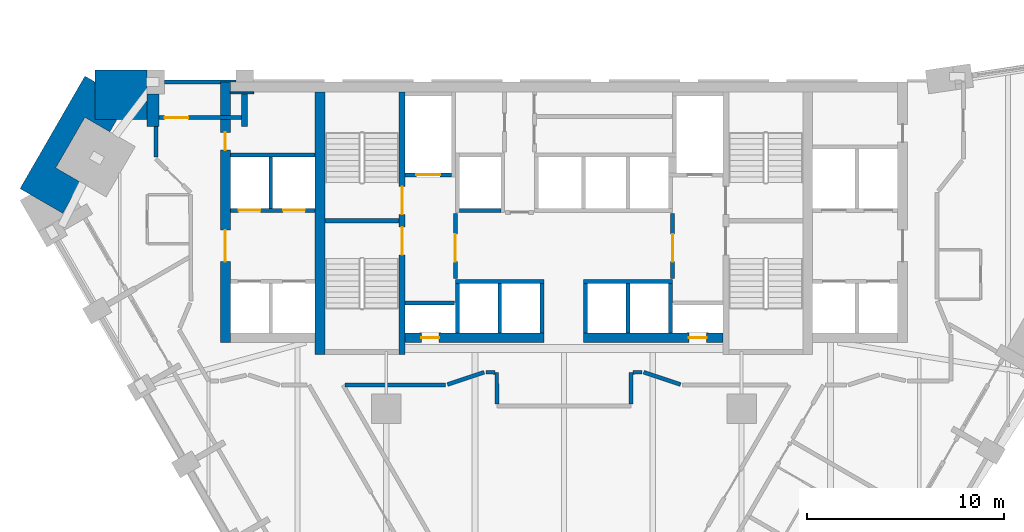
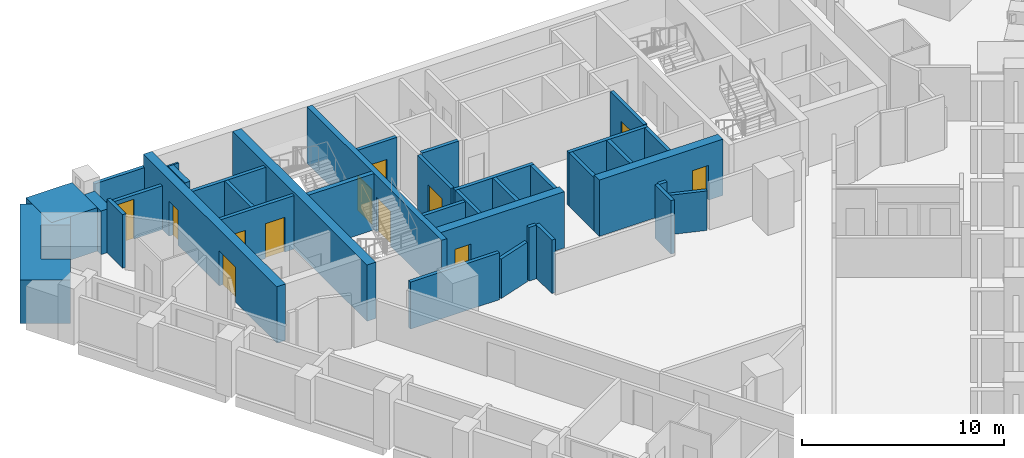
# One storey, part 6 of 10: 37 walls, 12 doors, 12 openings.
"""IFC4 building model written with IfcOpenShell, lengths in metres."""

from ifc_helpers import new_model, si_unit, direction, frame, frame_2d, origin, place, context, subcontext, project, spatial, polyline, rectangle, outline, extrude, material, layer, layer_set, type_object, element, fill, save


model = new_model("IFC4")

# Units and contexts
model_context = context("Model", 3, precision=1e-05, world=origin(), true_north=direction((0.0, 1.0)))
body_context = subcontext(model_context, "Body", "Model", "MODEL_VIEW")
ifc_project = project(units=[si_unit("LENGTHUNIT", "METRE"), si_unit("AREAUNIT", "SQUARE_METRE"), si_unit("VOLUMEUNIT", "CUBIC_METRE"), si_unit("PLANEANGLEUNIT", "RADIAN"), si_unit("MASSUNIT", "GRAM", prefix="KILO")], contexts=[model_context])

# Site, building, storey
site_placement = place(None, origin())
site = spatial("IfcSite", under=ifc_project, at=site_placement, CompositionType="ELEMENT")
building_placement = place(site_placement, origin())
building = spatial("IfcBuilding", under=site, at=building_placement, Name="Calabash Gate Tower", CompositionType="ELEMENT")
storey_placement = place(building_placement, frame((0.0, 0.0, 108.800048828125)))
storey = spatial("IfcBuildingStorey", under=building, at=storey_placement, Name="L24", CompositionType="ELEMENT", Elevation=108.800048828125)

# Walls
ifc_material_1 = material(Name="Terracotta brick masonry, exposed face", Category="masonry")
ifc_layer_1 = layer(ifc_material_1, 2.5)
ifc_layer_set_1 = layer_set([ifc_layer_1], Name="Brick corner mass wall 2500")
wall_type_1 = type_object("IfcWallType", Name="Brick corner mass wall 2500", PredefinedType="SOLIDWALL", material=ifc_layer_set_1)
wall_1_placement = place(storey_placement, origin())
element("IfcWall", 1, at=wall_1_placement, inside=storey, type_object=wall_type_1, Name="Brick corner pier S06 3a", PredefinedType="SOLIDWALL", context=body_context, shape_type="SweptSolid", body=[
    extrude(outline(polyline([(-23.741455078125, 17.152587890625), (-21.119140625, 17.152587890625), (-21.119140625, 19.652587890625), (-23.741455078125, 19.652587890625), (-23.741455078125, 17.152587890625)])), origin(), (0.0, 0.0, 1.0), 2.6298828125),
])
wall_2_placement = place(storey_placement, origin())
element("IfcWall", 2, at=wall_2_placement, inside=storey, type_object=wall_type_1, Name="Brick corner pier S06 3b", PredefinedType="SOLIDWALL", context=body_context, shape_type="SweptSolid", body=[
    extrude(outline(polyline([(-23.003173828125, 16.531005859375), (-22.64453125, 17.152587890625), (-23.741455078125, 17.152587890625), (-23.741455078125, 19.052490234375), (-24.260986328125, 19.3525390625), (-27.55078125, 13.654541015625), (-25.3857421875, 12.404541015625), (-24.478271484375, 13.976318359375), (-25.73876953125, 14.7041015625), (-24.263916015625, 17.2587890625), (-23.003173828125, 16.531005859375)])), origin(), (0.0, 0.0, 1.0), 2.6298828125),
])
ifc_material_2 = material(Name="Terracotta brick masonry, exposed face", Category="masonry")
ifc_layer_2 = layer(ifc_material_2, 1.199951171875)
ifc_layer_set_2 = layer_set([ifc_layer_2], Name="Brick end wall 1200")
wall_type_2 = type_object("IfcWallType", Name="Brick end wall 1200", PredefinedType="SOLIDWALL", material=ifc_layer_set_2)
wall_3_placement = place(storey_placement, origin())
element("IfcWall", 3, at=wall_3_placement, inside=storey, type_object=wall_type_2, Name="Brick pier S06 N6.7b", PredefinedType="SOLIDWALL", context=body_context, shape_type="SweptSolid", body=[
    extrude(outline(polyline([(-16.902099609375, 18.45263671875), (-16.902099609375, 18.552490234375), (-15.718994140625, 18.552490234375), (-15.718994140625, 18.45263671875), (-16.902099609375, 18.45263671875)])), origin(), (0.0, 0.0, 1.0), 2.64990234375),
])
ifc_material_3 = material(Name="Terracotta brick masonry, exposed face", Category="masonry")
ifc_layer_3 = layer(ifc_material_3, 0.300048828125)
ifc_layer_set_3 = layer_set([ifc_layer_3], Name="Brick loggia cheek wall 300")
wall_type_3 = type_object("IfcWallType", Name="Brick loggia cheek wall 300", PredefinedType="SOLIDWALL", material=ifc_layer_set_3)
wall_4_placement = place(storey_placement, origin())
element("IfcWall", 4, at=wall_4_placement, inside=storey, type_object=wall_type_3, Name="Loggia cheek S06 N6.7", PredefinedType="SOLIDWALL", context=body_context, shape_type="SweptSolid", body=[
    extrude(outline(polyline([(-16.01904296875, 16.802490234375), (-16.01904296875, 18.45263671875), (-16.319091796875, 18.45263671875), (-16.319091796875, 16.802490234375), (-16.01904296875, 16.802490234375)])), origin(), (0.0, 0.0, 1.0), 2.64990234375),
])
wall_5_placement = place(storey_placement, origin())
element("IfcWall", 5, at=wall_5_placement, inside=storey, type_object=wall_type_3, Name="Loggia cheek S06 N6.8", PredefinedType="SOLIDWALL", context=body_context, shape_type="SweptSolid", body=[
    extrude(outline(polyline([(-21.119140625, 18.45263671875), (-21.119140625, 16.802490234375), (-20.51904296875, 16.802490234375), (-20.51904296875, 18.45263671875), (-21.119140625, 18.45263671875)])), origin(), (0.0, 0.0, 1.0), 2.6298828125),
])
ifc_material_4 = material(Name="Concrete C80/95", Category="concrete")
ifc_layer_4 = layer(ifc_material_4, 0.25)
ifc_layer_set_4 = layer_set([ifc_layer_4], Name="Core wall 250 Concrete C80/95")
wall_type_4 = type_object("IfcWallType", Name="Core wall 250 Concrete C80/95", PredefinedType="SHEAR", material=ifc_layer_set_4)
wall_6_placement = place(storey_placement, frame((-12.10009765625, 12.027587890625, 0.0), z_axis=(0.0, 0.0, 1.0), x_axis=(1.0, 0.0, 0.0)))
element("IfcWall", 6, at=wall_6_placement, inside=storey, type_object=wall_type_4, Name="Core wall Z2-MIDW L24", PredefinedType="SHEAR", context=body_context, shape_type="SweptSolid", body=[
    extrude(rectangle(XDim=3.75, YDim=0.25, at=frame_2d((1.875, 0.0))), origin(), (0.0, 0.0, 1.0), 3.39990234375),
])

# Wall, openings, doors
ifc_material_5 = material(Name="Concrete C80/95", Category="concrete")
ifc_layer_5 = layer(ifc_material_5, 0.300048828125)
ifc_layer_set_5 = layer_set([ifc_layer_5], Name="Core wall 300 Concrete C80/95")
wall_type_5 = type_object("IfcWallType", Name="Core wall 300 Concrete C80/95", PredefinedType="SHEAR", material=ifc_layer_set_5)
wall_7_placement = place(storey_placement, frame((-8.199951171875, 5.252685546875, 0.0), z_axis=(0.0, 0.0, 1.0), x_axis=(0.0, 1.0, 0.0)))
wall_7 = element("IfcWall", 7, at=wall_7_placement, inside=storey, type_object=wall_type_5, Name="Core wall Z2-PARTW L24", PredefinedType="SHEAR", context=body_context, shape_type="SweptSolid", body=[
    extrude(rectangle(XDim=13.2998046875, YDim=0.300048828125, at=frame_2d((6.64990234375, 0.0))), origin(), (0.0, 0.0, 1.0), 3.39990234375),
])
opening_1_placement = place(wall_7_placement, frame((7.10009765625, 0.0, 0.0)))
opening_1 = element("IfcOpeningElement", 8, at=opening_1_placement, cuts=wall_7, Name="Opening H6-013", PredefinedType="OPENING", context=body_context, shape_type="SweptSolid", body=[
    extrude(rectangle(XDim=1.39990234375, YDim=2.10009765625, at=frame_2d((0.699951171875, 1.050048828125))), frame((0.0, 0.159912109375, 0.0), z_axis=(0.0, -1.0, 0.0), x_axis=(1.0, 0.0, 0.0)), (0.0, 0.0, 1.0), 0.320068359375),
])
opening_2_placement = place(wall_7_placement, frame((5.050048828125, 0.0, 0.0)))
opening_2 = element("IfcOpeningElement", 9, at=opening_2_placement, cuts=wall_7, Name="Opening H6-014", PredefinedType="OPENING", context=body_context, shape_type="SweptSolid", body=[
    extrude(rectangle(XDim=1.39990234375, YDim=2.10009765625, at=frame_2d((0.699951171875, 1.050048828125))), frame((0.0, 0.159912109375, 0.0), z_axis=(0.0, -1.0, 0.0), x_axis=(1.0, 0.0, 0.0)), (0.0, 0.0, 1.0), 0.320068359375),
])
ifc_material_6 = material(Name="Steel fire door set with fire-resisting glazing", Category="steel")
door_type_1 = type_object("IfcDoorType", Name="Fire door D05 1400x2100 FD90", OperationType="NOTDEFINED", PredefinedType="DOOR", material=ifc_material_6)
door_1_placement = place(opening_1_placement, origin())
door_1 = element("IfcDoor", 10, at=door_1_placement, inside=storey, type_object=door_type_1, Name="Exit stair door ST1", OperationType="SINGLE_SWING_LEFT", OverallHeight=2.10009765625, OverallWidth=1.39990234375, PredefinedType="DOOR", context=body_context, shape_type="SweptSolid", body=[
    extrude(rectangle(XDim=1.39990234375, YDim=2.10009765625, at=frame_2d((0.699951171875, 1.050048828125))), frame((0.0, 0.02490234375, 0.0), z_axis=(0.0, -1.0, 0.0), x_axis=(1.0, 0.0, 0.0)), (0.0, 0.0, 1.0), 0.050048828125),
])
fill(opening_1, door_1)
door_2_placement = place(opening_2_placement, origin())
door_2 = element("IfcDoor", 11, at=door_2_placement, inside=storey, type_object=door_type_1, Name="Exit stair door ST2", OperationType="SINGLE_SWING_LEFT", OverallHeight=2.10009765625, OverallWidth=1.39990234375, PredefinedType="DOOR", context=body_context, shape_type="SweptSolid", body=[
    extrude(rectangle(XDim=1.39990234375, YDim=2.10009765625, at=frame_2d((0.699951171875, 1.050048828125))), frame((0.0, 0.02490234375, 0.0), z_axis=(0.0, -1.0, 0.0), x_axis=(1.0, 0.0, 0.0)), (0.0, 0.0, 1.0), 0.050048828125),
])
fill(opening_2, door_2)

# Wall
ifc_material_7 = material(Name="Concrete C80/95", Category="concrete")
ifc_layer_6 = layer(ifc_material_7, 0.5)
ifc_layer_set_6 = layer_set([ifc_layer_6], Name="Core wall 500 Concrete C80/95")
wall_type_6 = type_object("IfcWallType", Name="Core wall 500 Concrete C80/95", PredefinedType="SHEAR", material=ifc_layer_set_6)
wall_8_placement = place(storey_placement, frame((-12.35009765625, 5.252685546875, 0.0), z_axis=(0.0, 0.0, 1.0), x_axis=(0.0, 1.0, 0.0)))
element("IfcWall", 12, at=wall_8_placement, inside=storey, type_object=wall_type_6, Name="Core wall Z2-COLW L24", PredefinedType="SHEAR", context=body_context, shape_type="SweptSolid", body=[
    extrude(rectangle(XDim=13.2998046875, YDim=0.5, at=frame_2d((6.64990234375, 0.0))), origin(), (0.0, 0.0, 1.0), 3.39990234375),
])

# Wall, opening, door
wall_9_placement = place(storey_placement, frame((-8.050048828125, 6.1025390625, 0.0), z_axis=(0.0, 0.0, 1.0), x_axis=(1.0, 0.0, 0.0)))
wall_9 = element("IfcWall", 13, at=wall_9_placement, inside=storey, type_object=wall_type_6, Name="Core wall Z2-SA L24", PredefinedType="SHEAR", context=body_context, shape_type="SweptSolid", body=[
    extrude(rectangle(XDim=7.050048828125, YDim=0.5, at=frame_2d((3.52490234375, 0.0))), origin(), (0.0, 0.0, 1.0), 3.39990234375),
])
opening_3_placement = place(wall_9_placement, frame((0.824951171875, 0.0, 0.0)))
opening_3 = element("IfcOpeningElement", 14, at=opening_3_placement, cuts=wall_9, Name="Opening H6-012", PredefinedType="OPENING", context=body_context, shape_type="SweptSolid", body=[
    extrude(rectangle(XDim=0.89990234375, YDim=2.10009765625, at=frame_2d((0.449951171875, 1.050048828125))), frame((0.0, 0.260009765625, 0.0), z_axis=(0.0, -1.0, 0.0), x_axis=(1.0, 0.0, 0.0)), (0.0, 0.0, 1.0), 0.52001953125),
])
ifc_material_8 = material(Name="Steel fire door set with fire-resisting glazing", Category="steel")
door_type_2 = type_object("IfcDoorType", Name="Fire door D07 900x2100 FD90", OperationType="NOTDEFINED", PredefinedType="DOOR", material=ifc_material_8)
door_3_placement = place(opening_3_placement, origin())
door_3 = element("IfcDoor", 15, at=door_3_placement, inside=storey, type_object=door_type_2, Name="Electrical Riser W door", OperationType="SINGLE_SWING_LEFT", OverallHeight=2.10009765625, OverallWidth=0.89990234375, PredefinedType="DOOR", context=body_context, shape_type="SweptSolid", body=[
    extrude(rectangle(XDim=0.89990234375, YDim=2.10009765625, at=frame_2d((0.449951171875, 1.050048828125))), frame((0.0, 0.02490234375, 0.0), z_axis=(0.0, -1.0, 0.0), x_axis=(1.0, 0.0, 0.0)), (0.0, 0.0, 1.0), 0.050048828125),
])
fill(opening_3, door_3)

wall_10_placement = place(storey_placement, frame((1.0, 6.1025390625, 0.0), z_axis=(0.0, 0.0, 1.0), x_axis=(1.0, 0.0, 0.0)))
wall_10 = element("IfcWall", 16, at=wall_10_placement, inside=storey, type_object=wall_type_6, Name="Core wall Z2-SB L24", PredefinedType="SHEAR", context=body_context, shape_type="SweptSolid", body=[
    extrude(rectangle(XDim=7.050048828125, YDim=0.5, at=frame_2d((3.52490234375, 0.0))), origin(), (0.0, 0.0, 1.0), 3.39990234375),
])
opening_4_placement = place(wall_10_placement, frame((5.324951171875, 0.0, 0.0)))
opening_4 = element("IfcOpeningElement", 17, at=opening_4_placement, cuts=wall_10, Name="Opening H6-011", PredefinedType="OPENING", context=body_context, shape_type="SweptSolid", body=[
    extrude(rectangle(XDim=0.89990234375, YDim=2.10009765625, at=frame_2d((0.449951171875, 1.050048828125))), frame((0.0, 0.260009765625, 0.0), z_axis=(0.0, -1.0, 0.0), x_axis=(1.0, 0.0, 0.0)), (0.0, 0.0, 1.0), 0.52001953125),
])
door_4_placement = place(opening_4_placement, origin())
door_4 = element("IfcDoor", 18, at=door_4_placement, inside=storey, type_object=door_type_2, Name="Mechanical Riser E door", OperationType="SINGLE_SWING_RIGHT", OverallHeight=2.10009765625, OverallWidth=0.89990234375, PredefinedType="DOOR", context=body_context, shape_type="SweptSolid", body=[
    extrude(rectangle(XDim=0.89990234375, YDim=2.10009765625, at=frame_2d((0.449951171875, 1.050048828125))), frame((0.0, 0.02490234375, 0.0), z_axis=(0.0, -1.0, 0.0), x_axis=(1.0, 0.0, 0.0)), (0.0, 0.0, 1.0), 0.050048828125),
])
fill(opening_4, door_4)

# Wall, openings, doors
wall_11_placement = place(storey_placement, frame((-17.14990234375, 5.8525390625, 0.0), z_axis=(0.0, 0.0, 1.0), x_axis=(0.0, 1.0, 0.0)))
wall_11 = element("IfcWall", 19, at=wall_11_placement, inside=storey, type_object=wall_type_6, Name="Core wall Z2-ENDW L24", PredefinedType="SHEAR", context=body_context, shape_type="SweptSolid", body=[
    extrude(rectangle(XDim=13.199951171875, YDim=0.5, at=frame_2d((6.60009765625, 0.0))), origin(), (0.0, 0.0, 1.0), 3.39990234375),
])
opening_5_placement = place(wall_11_placement, frame((4.10009765625, 0.0, 0.0)))
opening_5 = element("IfcOpeningElement", 20, at=opening_5_placement, cuts=wall_11, Name="Opening H6-003", PredefinedType="OPENING", context=body_context, shape_type="SweptSolid", body=[
    extrude(rectangle(XDim=1.60009765625, YDim=2.10009765625, at=frame_2d((0.800048828125, 1.050048828125))), frame((0.0, 0.260009765625, 0.0), z_axis=(0.0, -1.0, 0.0), x_axis=(1.0, 0.0, 0.0)), (0.0, 0.0, 1.0), 0.52001953125),
])
opening_6_placement = place(wall_11_placement, frame((9.75, 0.0, 0.0)))
opening_6 = element("IfcOpeningElement", 21, at=opening_6_placement, cuts=wall_11, Name="Opening H6-004", PredefinedType="OPENING", context=body_context, shape_type="SweptSolid", body=[
    extrude(rectangle(XDim=0.89990234375, YDim=2.10009765625, at=frame_2d((0.449951171875, 1.050048828125))), frame((0.0, 0.260009765625, 0.0), z_axis=(0.0, -1.0, 0.0), x_axis=(1.0, 0.0, 0.0)), (0.0, 0.0, 1.0), 0.52001953125),
])
ifc_material_9 = material(Name="Steel fire door set with fire-resisting glazing", Category="steel")
door_type_3 = type_object("IfcDoorType", Name="Double fire door D08 1600x2100 FD60", OperationType="DOUBLE_DOOR_SINGLE_SWING", PredefinedType="DOOR", material=ifc_material_9)
door_5_placement = place(opening_5_placement, origin())
door_5 = element("IfcDoor", 22, at=door_5_placement, inside=storey, type_object=door_type_3, Name="Low-rise Lift Lobby W door", OperationType="DOUBLE_DOOR_SINGLE_SWING", OverallHeight=2.10009765625, OverallWidth=1.60009765625, PredefinedType="DOOR", context=body_context, shape_type="SweptSolid", body=[
    extrude(rectangle(XDim=1.60009765625, YDim=2.10009765625, at=frame_2d((0.800048828125, 1.050048828125))), frame((0.0, 0.02490234375, 0.0), z_axis=(0.0, -1.0, 0.0), x_axis=(1.0, 0.0, 0.0)), (0.0, 0.0, 1.0), 0.050048828125),
])
fill(opening_5, door_5)
ifc_material_10 = material(Name="Steel fire door set with fire-resisting glazing", Category="steel")
door_type_4 = type_object("IfcDoorType", Name="Fire door D06 900x2100 FD60", OperationType="NOTDEFINED", PredefinedType="DOOR", material=ifc_material_10)
door_6_placement = place(opening_6_placement, origin())
door_6 = element("IfcDoor", 23, at=door_6_placement, inside=storey, type_object=door_type_4, Name="Cleaner's Store door", OperationType="SINGLE_SWING_RIGHT", OverallHeight=2.10009765625, OverallWidth=0.89990234375, PredefinedType="DOOR", context=body_context, shape_type="SweptSolid", body=[
    extrude(rectangle(XDim=0.89990234375, YDim=2.10009765625, at=frame_2d((0.449951171875, 1.050048828125))), frame((0.0, 0.02490234375, 0.0), z_axis=(0.0, -1.0, 0.0), x_axis=(1.0, 0.0, 0.0)), (0.0, 0.0, 1.0), 0.050048828125),
])
fill(opening_6, door_6)

# Walls
ifc_material_11 = material(Name="Gypsum board on steel studs, mineral wool", Category="steel")
ifc_layer_7 = layer(ifc_material_11, 0.199951171875)
ifc_layer_set_7 = layer_set([ifc_layer_7], Name="Partition 200 gypsum board EI 60")
wall_type_7 = type_object("IfcWallType", Name="Partition 200 gypsum board EI 60", PredefinedType="PARTITIONING", material=ifc_layer_set_7)
wall_12_placement = place(storey_placement, frame((-3.402099609375, 4.3505859375, 0.0), z_axis=(0.0, 0.0, 1.0), x_axis=(0.001222119466, -0.999999253212, 0.0)))
element("IfcWall", 24, at=wall_12_placement, inside=storey, type_object=wall_type_7, Name="Partition", PredefinedType="PARTITIONING", context=body_context, shape_type="SweptSolid", body=[
    extrude(rectangle(XDim=1.59814453125, YDim=0.199951171875, at=frame_2d((0.799072265625, 0.0))), origin(), (0.0, 0.0, 1.0), 3.22998046875),
])
wall_13_placement = place(storey_placement, frame((-11.080078125, 3.69970703125, 0.0), z_axis=(0.0, 0.0, 1.0), x_axis=(1.0, 0.0, 0.0)))
element("IfcWall", 25, at=wall_13_placement, inside=storey, type_object=wall_type_7, Name="Partition", PredefinedType="PARTITIONING", context=body_context, shape_type="SweptSolid", body=[
    extrude(rectangle(XDim=5.080078125, YDim=0.199951171875, at=frame_2d((2.5400390625, 0.0))), origin(), (0.0, 0.0, 1.0), 2.83154296875),
])
for number, where, z_axis, x_axis, name in (
    (26, (4.042236328125, 4.352294921875, 0.0), (0.0, 0.0, 1.0), (0.948695731075, -0.316190464499, 0.0), "Partition"),
    (27, (-5.905029296875, 3.7314453125, 0.0), (0.0, 0.0, 1.0), (0.948695731075, 0.316190464499, 0.0), "Partition"),
):
    element("IfcWall", number, at=place(storey_placement, frame(where, z_axis=z_axis, x_axis=x_axis)), inside=storey, type_object=wall_type_7, Name=name, PredefinedType="PARTITIONING", context=body_context, shape_type="SweptSolid", body=[
        extrude(rectangle(XDim=1.963623046875, YDim=0.199951171875, at=frame_2d((0.98193359375, 0.0))), origin(), (0.0, 0.0, 1.0), 2.384033203125),
    ])
wall_14_placement = place(storey_placement, frame((-3.9423828125, 4.35205078125, 0.0), z_axis=(0.0, 0.0, 1.0), x_axis=(0.999996159087, -0.00277160798, 0.0)))
element("IfcWall", 28, at=wall_14_placement, inside=storey, type_object=wall_type_7, Name="Partition", PredefinedType="PARTITIONING", context=body_context, shape_type="SweptSolid", body=[
    extrude(rectangle(XDim=0.4404296875, YDim=0.199951171875, at=frame_2d((0.22021484375, 0.0))), origin(), (0.0, 0.0, 1.0), 3.22998046875),
])
wall_15_placement = place(storey_placement, frame((3.400146484375, 2.75244140625, 0.0), z_axis=(0.0, 0.0, 1.0), x_axis=(0.001222119466, 0.999999253212, 0.0)))
element("IfcWall", 29, at=wall_15_placement, inside=storey, type_object=wall_type_7, Name="Partition", PredefinedType="PARTITIONING", context=body_context, shape_type="SweptSolid", body=[
    extrude(rectangle(XDim=1.59814453125, YDim=0.199951171875, at=frame_2d((0.799072265625, 0.0))), origin(), (0.0, 0.0, 1.0), 3.22998046875),
])
wall_16_placement = place(storey_placement, frame((3.501953125, 4.350830078125, 0.0), z_axis=(0.0, 0.0, 1.0), x_axis=(0.999996159087, 0.00277160798, 0.0)))
element("IfcWall", 30, at=wall_16_placement, inside=storey, type_object=wall_type_7, Name="Partition", PredefinedType="PARTITIONING", context=body_context, shape_type="SweptSolid", body=[
    extrude(rectangle(XDim=0.4404296875, YDim=0.199951171875, at=frame_2d((0.22021484375, 0.0))), origin(), (0.0, 0.0, 1.0), 3.22998046875),
])
wall_17_placement = place(storey_placement, frame((-20.66943359375, 16.802490234375, 0.0), z_axis=(0.0, 0.0, 1.0), x_axis=(0.0, -1.0, 0.0)))
element("IfcWall", 31, at=wall_17_placement, inside=storey, type_object=wall_type_7, Name="Partition", PredefinedType="PARTITIONING", context=body_context, shape_type="SweptSolid", body=[
    extrude(rectangle(XDim=1.55029296875, YDim=0.199951171875, at=frame_2d((0.775146484375, 0.0))), origin(), (0.0, 0.0, 1.0), 3.22998046875),
])
ifc_material_12 = material(Name="Concrete C40/50", Category="concrete")
ifc_layer_8 = layer(ifc_material_12, 0.199951171875)
ifc_layer_set_8 = layer_set([ifc_layer_8], Name="Shaft wall 200 Concrete C40/50")
wall_type_8 = type_object("IfcWallType", Name="Shaft wall 200 Concrete C40/50", PredefinedType="SOLIDWALL", material=ifc_layer_set_8)
for number, where, z_axis, x_axis, name in (
    (32, (-5.39990234375, 6.3525390625, 0.0), (0.0, 0.0, 1.0), (0.0, 1.0, 0.0), "Shaft wall"),
    (33, (-3.25, 6.3525390625, 0.0), (0.0, 0.0, 1.0), (0.0, 1.0, 0.0), "Shaft wall"),
    (34, (-1.10009765625, 6.3525390625, 0.0), (0.0, 0.0, 1.0), (0.0, 1.0, 0.0), "Shaft wall"),
    (35, (1.10009765625, 6.3525390625, 0.0), (0.0, 0.0, 1.0), (0.0, 1.0, 0.0), "Shaft wall"),
    (36, (3.25, 6.3525390625, 0.0), (0.0, 0.0, 1.0), (0.0, 1.0, 0.0), "Shaft wall"),
    (37, (5.39990234375, 6.3525390625, 0.0), (0.0, 0.0, 1.0), (0.0, 1.0, 0.0), "Shaft wall"),
    (38, (-8.050048828125, 7.8525390625, 0.0), (0.0, 0.0, 1.0), (1.0, 0.0, 0.0), "Shaft wall"),
):
    element("IfcWall", number, at=place(storey_placement, frame(where, z_axis=z_axis, x_axis=x_axis)), inside=storey, type_object=wall_type_8, Name=name, PredefinedType="SOLIDWALL", context=body_context, shape_type="SweptSolid", body=[
        extrude(rectangle(XDim=2.5, YDim=0.199951171875, at=frame_2d((1.25, 0.0))), origin(), (0.0, 0.0, 1.0), 3.22998046875),
    ])
for number, where, z_axis, x_axis, name in (
    (39, (-5.5, 8.95263671875, 0.0), (0.0, 0.0, 1.0), (1.0, 0.0, 0.0), "Shaft wall"),
    (40, (1.0, 8.95263671875, 0.0), (0.0, 0.0, 1.0), (1.0, 0.0, 0.0), "Shaft wall"),
):
    element("IfcWall", number, at=place(storey_placement, frame(where, z_axis=z_axis, x_axis=x_axis)), inside=storey, type_object=wall_type_8, Name=name, PredefinedType="SOLIDWALL", context=body_context, shape_type="SweptSolid", body=[
        extrude(rectangle(XDim=4.5, YDim=0.199951171875, at=frame_2d((2.25, 0.0))), origin(), (0.0, 0.0, 1.0), 3.22998046875),
    ])

# Wall, opening, door
wall_18_placement = place(storey_placement, frame((-5.5, 9.1025390625, 0.0), z_axis=(0.0, 0.0, 1.0), x_axis=(0.0, 1.0, 0.0)))
wall_18 = element("IfcWall", 41, at=wall_18_placement, inside=storey, type_object=wall_type_8, Name="Shaft wall", PredefinedType="SOLIDWALL", context=body_context, shape_type="SweptSolid", body=[
    extrude(rectangle(XDim=3.300048828125, YDim=0.199951171875, at=frame_2d((1.64990234375, 0.0))), origin(), (0.0, 0.0, 1.0), 3.22998046875),
])
opening_7_placement = place(wall_18_placement, frame((0.85009765625, 0.0, 0.0)))
opening_7 = element("IfcOpeningElement", 42, at=opening_7_placement, cuts=wall_18, Name="Opening H6-007", PredefinedType="OPENING", context=body_context, shape_type="SweptSolid", body=[
    extrude(rectangle(XDim=1.39990234375, YDim=2.10009765625, at=frame_2d((0.699951171875, 1.050048828125))), frame((0.0, 0.10986328125, 0.0), z_axis=(0.0, -1.0, 0.0), x_axis=(1.0, 0.0, 0.0)), (0.0, 0.0, 1.0), 0.219970703125),
])
door_7_placement = place(opening_7_placement, origin())
door_7 = element("IfcDoor", 43, at=door_7_placement, inside=storey, type_object=door_type_1, Name="Firefighting Lobby W door", OperationType="SINGLE_SWING_RIGHT", OverallHeight=2.10009765625, OverallWidth=1.39990234375, PredefinedType="DOOR", context=body_context, shape_type="SweptSolid", body=[
    extrude(rectangle(XDim=1.39990234375, YDim=2.10009765625, at=frame_2d((0.699951171875, 1.050048828125))), frame((0.0, 0.02490234375, 0.0), z_axis=(0.0, -1.0, 0.0), x_axis=(1.0, 0.0, 0.0)), (0.0, 0.0, 1.0), 0.050048828125),
])
fill(opening_7, door_7)

wall_19_placement = place(storey_placement, frame((5.5, 9.1025390625, 0.0), z_axis=(0.0, 0.0, 1.0), x_axis=(0.0, 1.0, 0.0)))
wall_19 = element("IfcWall", 44, at=wall_19_placement, inside=storey, type_object=wall_type_8, Name="Shaft wall", PredefinedType="SOLIDWALL", context=body_context, shape_type="SweptSolid", body=[
    extrude(rectangle(XDim=3.300048828125, YDim=0.199951171875, at=frame_2d((1.64990234375, 0.0))), origin(), (0.0, 0.0, 1.0), 3.22998046875),
])
opening_8_placement = place(wall_19_placement, frame((0.85009765625, 0.0, 0.0)))
opening_8 = element("IfcOpeningElement", 45, at=opening_8_placement, cuts=wall_19, Name="Opening H6-006", PredefinedType="OPENING", context=body_context, shape_type="SweptSolid", body=[
    extrude(rectangle(XDim=1.39990234375, YDim=2.10009765625, at=frame_2d((0.699951171875, 1.050048828125))), frame((0.0, 0.10986328125, 0.0), z_axis=(0.0, -1.0, 0.0), x_axis=(1.0, 0.0, 0.0)), (0.0, 0.0, 1.0), 0.219970703125),
])
door_8_placement = place(opening_8_placement, origin())
door_8 = element("IfcDoor", 46, at=door_8_placement, inside=storey, type_object=door_type_1, Name="Firefighting Lobby E door", OperationType="SINGLE_SWING_LEFT", OverallHeight=2.10009765625, OverallWidth=1.39990234375, PredefinedType="DOOR", context=body_context, shape_type="SweptSolid", body=[
    extrude(rectangle(XDim=1.39990234375, YDim=2.10009765625, at=frame_2d((0.699951171875, 1.050048828125))), frame((0.0, 0.02490234375, 0.0), z_axis=(0.0, -1.0, 0.0), x_axis=(1.0, 0.0, 0.0)), (0.0, 0.0, 1.0), 0.050048828125),
])
fill(opening_8, door_8)

# Wall, openings, doors
wall_20_placement = place(storey_placement, frame((-16.89990234375, 12.552490234375, 0.0), z_axis=(0.0, 0.0, 1.0), x_axis=(1.0, 0.0, 0.0)))
wall_20 = element("IfcWall", 47, at=wall_20_placement, inside=storey, type_object=wall_type_8, Name="Shaft wall", PredefinedType="SOLIDWALL", context=body_context, shape_type="SweptSolid", body=[
    extrude(rectangle(XDim=4.2998046875, YDim=0.199951171875, at=frame_2d((2.14990234375, 0.0))), origin(), (0.0, 0.0, 1.0), 3.22998046875),
])
opening_9_placement = place(wall_20_placement, frame((2.675048828125, 0.0, 0.0)))
opening_9 = element("IfcOpeningElement", 48, at=opening_9_placement, cuts=wall_20, Name="Opening LD-LR3", PredefinedType="OPENING", context=body_context, shape_type="SweptSolid", body=[
    extrude(rectangle(XDim=1.10009765625, YDim=2.10009765625, at=frame_2d((0.550048828125, 1.050048828125))), frame((0.0, 0.10986328125, 0.0), z_axis=(0.0, -1.0, 0.0), x_axis=(1.0, 0.0, 0.0)), (0.0, 0.0, 1.0), 0.219970703125),
])
opening_10_placement = place(wall_20_placement, frame((0.425048828125, 0.0, 0.0)))
opening_10 = element("IfcOpeningElement", 49, at=opening_10_placement, cuts=wall_20, Name="Opening LD-LR4", PredefinedType="OPENING", context=body_context, shape_type="SweptSolid", body=[
    extrude(rectangle(XDim=1.10009765625, YDim=2.10009765625, at=frame_2d((0.550048828125, 1.050048828125))), frame((0.0, 0.10986328125, 0.0), z_axis=(0.0, -1.0, 0.0), x_axis=(1.0, 0.0, 0.0)), (0.0, 0.0, 1.0), 0.219970703125),
])
ifc_material_13 = material(Name="Stainless steel sliding door leaves", Category="steel")
door_type_5 = type_object("IfcDoorType", Name="Lift landing door LS1 1100x2100 FD90", OperationType="DOUBLE_DOOR_SLIDING", PredefinedType="DOOR", material=ifc_material_13)
door_9_placement = place(opening_9_placement, origin())
door_9 = element("IfcDoor", 50, at=door_9_placement, inside=storey, type_object=door_type_5, Name="Lift landing door LR3", OperationType="DOUBLE_DOOR_SLIDING", OverallHeight=2.10009765625, OverallWidth=1.10009765625, PredefinedType="DOOR", context=body_context, shape_type="SweptSolid", body=[
    extrude(rectangle(XDim=1.10009765625, YDim=2.10009765625, at=frame_2d((0.550048828125, 1.050048828125))), frame((0.0, 0.02490234375, 0.0), z_axis=(0.0, -1.0, 0.0), x_axis=(1.0, 0.0, 0.0)), (0.0, 0.0, 1.0), 0.050048828125),
])
fill(opening_9, door_9)
door_10_placement = place(opening_10_placement, origin())
door_10 = element("IfcDoor", 51, at=door_10_placement, inside=storey, type_object=door_type_5, Name="Lift landing door LR4", OperationType="DOUBLE_DOOR_SLIDING", OverallHeight=2.10009765625, OverallWidth=1.10009765625, PredefinedType="DOOR", context=body_context, shape_type="SweptSolid", body=[
    extrude(rectangle(XDim=1.10009765625, YDim=2.10009765625, at=frame_2d((0.550048828125, 1.050048828125))), frame((0.0, 0.02490234375, 0.0), z_axis=(0.0, -1.0, 0.0), x_axis=(1.0, 0.0, 0.0)), (0.0, 0.0, 1.0), 0.050048828125),
])
fill(opening_10, door_10)

# Walls
wall_21_placement = place(storey_placement, frame((-5.300048828125, 12.552490234375, 0.0), z_axis=(0.0, 0.0, 1.0), x_axis=(1.0, 0.0, 0.0)))
element("IfcWall", 52, at=wall_21_placement, inside=storey, type_object=wall_type_8, Name="Shaft wall", PredefinedType="SOLIDWALL", context=body_context, shape_type="SweptSolid", body=[
    extrude(rectangle(XDim=2.10009765625, YDim=0.199951171875, at=frame_2d((1.050048828125, 0.0))), origin(), (0.0, 0.0, 1.0), 3.22998046875),
])
wall_22_placement = place(storey_placement, frame((-14.85009765625, 12.652587890625, 0.0), z_axis=(0.0, 0.0, 1.0), x_axis=(0.0, 1.0, 0.0)))
element("IfcWall", 53, at=wall_22_placement, inside=storey, type_object=wall_type_8, Name="Shaft wall", PredefinedType="SOLIDWALL", context=body_context, shape_type="SweptSolid", body=[
    extrude(rectangle(XDim=2.60009765625, YDim=0.199951171875, at=frame_2d((1.300048828125, 0.0))), origin(), (0.0, 0.0, 1.0), 3.22998046875),
])

# Wall, opening, door
wall_23_placement = place(storey_placement, frame((-8.050048828125, 14.3525390625, 0.0), z_axis=(0.0, 0.0, 1.0), x_axis=(1.0, 0.0, 0.0)))
wall_23 = element("IfcWall", 54, at=wall_23_placement, inside=storey, type_object=wall_type_8, Name="Shaft wall", PredefinedType="SOLIDWALL", context=body_context, shape_type="SweptSolid", body=[
    extrude(rectangle(XDim=2.35009765625, YDim=0.199951171875, at=frame_2d((1.175048828125, 0.0))), origin(), (0.0, 0.0, 1.0), 3.22998046875),
])
opening_11_placement = place(wall_23_placement, frame((0.574951171875, 0.0, 0.0)))
opening_11 = element("IfcOpeningElement", 55, at=opening_11_placement, cuts=wall_23, Name="Opening LD-FF1", PredefinedType="OPENING", context=body_context, shape_type="SweptSolid", body=[
    extrude(rectangle(XDim=1.199951171875, YDim=2.10009765625, at=frame_2d((0.60009765625, 1.050048828125))), frame((0.0, 0.10986328125, 0.0), z_axis=(0.0, -1.0, 0.0), x_axis=(1.0, 0.0, 0.0)), (0.0, 0.0, 1.0), 0.219970703125),
])
ifc_material_14 = material(Name="Stainless steel sliding door leaves", Category="steel")
door_type_6 = type_object("IfcDoorType", Name="Lift landing door LS3 1200x2100 FD90", OperationType="DOUBLE_DOOR_SLIDING", PredefinedType="DOOR", material=ifc_material_14)
door_11_placement = place(opening_11_placement, origin())
door_11 = element("IfcDoor", 56, at=door_11_placement, inside=storey, type_object=door_type_6, Name="Lift landing door FF1", OperationType="DOUBLE_DOOR_SLIDING", OverallHeight=2.10009765625, OverallWidth=1.199951171875, PredefinedType="DOOR", context=body_context, shape_type="SweptSolid", body=[
    extrude(rectangle(XDim=1.199951171875, YDim=2.10009765625, at=frame_2d((0.60009765625, 1.050048828125))), frame((0.0, 0.02490234375, 0.0), z_axis=(0.0, -1.0, 0.0), x_axis=(1.0, 0.0, 0.0)), (0.0, 0.0, 1.0), 0.050048828125),
])
fill(opening_11, door_11)

# Walls
wall_24_placement = place(storey_placement, frame((-16.89990234375, 15.3525390625, 0.0), z_axis=(0.0, 0.0, 1.0), x_axis=(1.0, 0.0, 0.0)))
element("IfcWall", 57, at=wall_24_placement, inside=storey, type_object=wall_type_8, Name="Shaft wall", PredefinedType="SOLIDWALL", context=body_context, shape_type="SweptSolid", body=[
    extrude(rectangle(XDim=4.2998046875, YDim=0.199951171875, at=frame_2d((2.14990234375, 0.0))), origin(), (0.0, 0.0, 1.0), 3.22998046875),
])
ifc_material_15 = material(Name="Terracotta brick masonry, perforated", Category="masonry")
ifc_layer_9 = layer(ifc_material_15, 0.199951171875)
ifc_layer_set_9 = layer_set([ifc_layer_9], Name="Terracotta jaali screen B")
wall_type_9 = type_object("IfcWallType", Name="Terracotta jaali screen B", PredefinedType="SOLIDWALL", material=ifc_layer_set_9)
wall_25_placement = place(storey_placement, origin())
element("IfcWall", 58, at=wall_25_placement, inside=storey, type_object=wall_type_9, Name="SCREEN B S06 N6.8", PredefinedType="SOLIDWALL", context=body_context, shape_type="SweptSolid", body=[
    extrude(outline(polyline([(-16.619140625, 19.052490234375), (-16.619140625, 19.152587890625), (-20.218994140625, 19.152587890625), (-20.218994140625, 18.95263671875), (-17.39990234375, 18.95263671875), (-17.39990234375, 19.052490234375), (-16.619140625, 19.052490234375)])), origin(), (0.0, 0.0, 1.0), 2.64990234375),
])

# Wall, opening, door
ifc_material_16 = material(Name="Aluminium framed window wall with insulated spandrel", Category="aluminium")
ifc_layer_10 = layer(ifc_material_16, 0.199951171875)
ifc_layer_set_10 = layer_set([ifc_layer_10], Name="Window wall 200")
wall_type_10 = type_object("IfcWallType", Name="Window wall 200", PredefinedType="ELEMENTEDWALL", material=ifc_layer_set_10)
wall_26_placement = place(storey_placement, frame((-16.319091796875, 17.25244140625, 0.0), z_axis=(0.0, 0.0, 1.0), x_axis=(-1.0, 0.0, 0.0)))
wall_26 = element("IfcWall", 59, at=wall_26_placement, inside=storey, type_object=wall_type_10, Name="Window wall S06 N6.8", PredefinedType="ELEMENTEDWALL", context=body_context, shape_type="SweptSolid", body=[
    extrude(rectangle(XDim=4.199951171875, YDim=0.199951171875, at=frame_2d((2.10009765625, 0.0))), origin(), (0.0, 0.0, 1.0), 2.64990234375),
])
opening_12_placement = place(wall_26_placement, frame((2.699951171875, 0.0, 0.0)))
opening_12 = element("IfcOpeningElement", 60, at=opening_12_placement, cuts=wall_26, Name="Opening H6-017", PredefinedType="OPENING", context=body_context, shape_type="SweptSolid", body=[
    extrude(rectangle(XDim=1.199951171875, YDim=2.39990234375, at=frame_2d((0.60009765625, 1.199951171875))), frame((0.0, 0.10986328125, 0.0), z_axis=(0.0, -1.0, 0.0), x_axis=(1.0, 0.0, 0.0)), (0.0, 0.0, 1.0), 0.219970703125),
])
ifc_material_17 = material(Name="Anodised aluminium frame, bronze finish, impact-rated laminated clear glazing", Category="aluminium")
door_type_7 = type_object("IfcDoorType", Name="Loggia door DH1 1200x2400", OperationType="SLIDING_TO_LEFT", PredefinedType="DOOR", material=ifc_material_17)
door_12_placement = place(opening_12_placement, origin())
door_12 = element("IfcDoor", 61, at=door_12_placement, inside=storey, type_object=door_type_7, Name="Loggia door S06 N6.8", OperationType="SINGLE_SWING_LEFT", OverallHeight=2.39990234375, OverallWidth=1.199951171875, PredefinedType="DOOR", context=body_context, shape_type="SweptSolid", body=[
    extrude(rectangle(XDim=1.199951171875, YDim=2.39990234375, at=frame_2d((0.60009765625, 1.199951171875))), frame((0.0, 0.02490234375, 0.0), z_axis=(0.0, -1.0, 0.0), x_axis=(1.0, 0.0, 0.0)), (0.0, 0.0, 1.0), 0.050048828125),
])
fill(opening_12, door_12)

save(model, "model.ifc")
